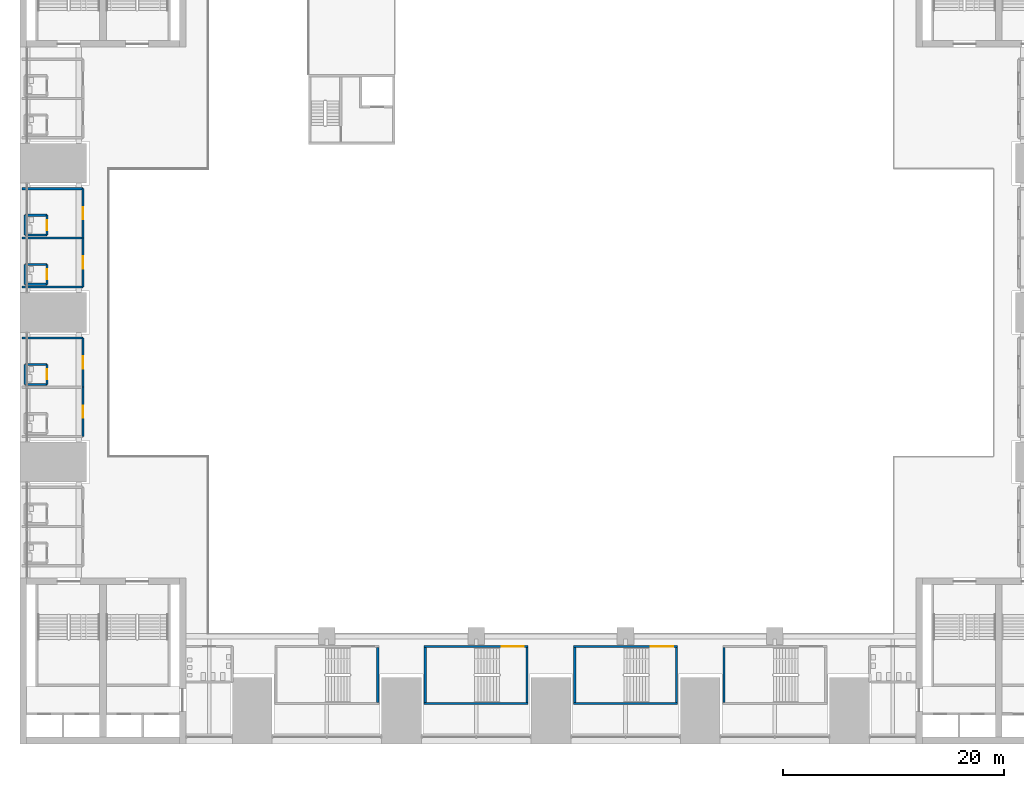
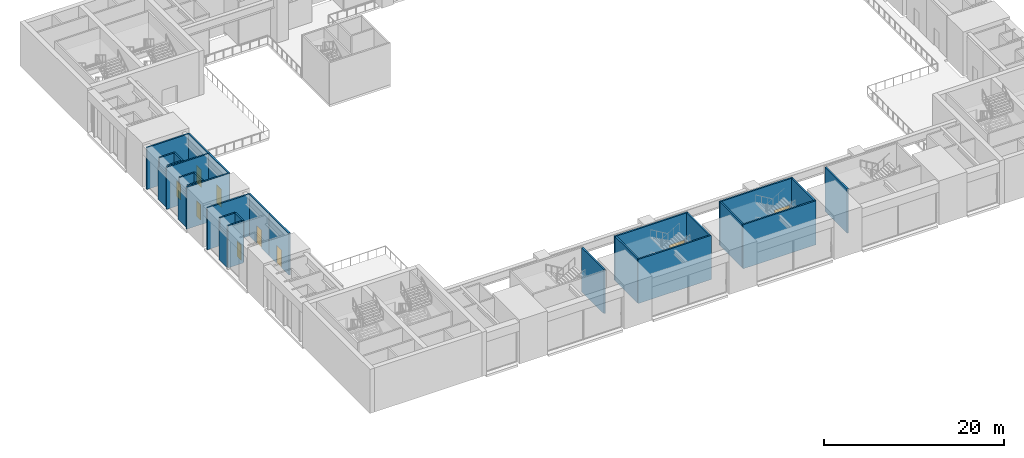
# One storey, part 14 of 43: 30 walls, 9 doors, 9 openings.
"""IFC4 building model written with IfcOpenShell, lengths in metres."""

import ifcopenshell
import ifcopenshell.guid

model = None  # the IFC model being written
_history = None  # IfcOwnerHistory: only IFC2X3 demands one
_inside = {}  # id of a spatial element -> (the spatial element, [elements in it])
_under = {}  # id of a project, library or spatial element -> (it, [spatial elements below it])
_declared = {}  # id of a project -> (the project, [libraries it declares])
_typed = {}  # id of a type object -> (the type object, [elements of that type])
_made_of = {}  # id of a material, layer set ... -> (it, [elements and type objects made of it])


def new_model(schema):
    """Start an empty IFC model of exactly this schema.

    Asked for "IFC4X3", IfcOpenShell would pick the latest addendum, in which some entities
    have other attributes; the version numbers below select the first issue.
    IFC2X3 requires an IfcOwnerHistory on every rooted entity: one is made here for all.
    """
    global model, _history
    if schema == "IFC4X3":
        model = ifcopenshell.file(schema_version=(4, 3, 0, 0))
    else:
        model = ifcopenshell.file(schema=schema)
    _inside.clear()
    _under.clear()
    _declared.clear()
    _typed.clear()
    _made_of.clear()
    _history = None
    if model.schema == "IFC2X3":
        org = make("IfcOrganization", Name="unknown")
        user = make(
            "IfcPersonAndOrganization",
            ThePerson=make("IfcPerson", FamilyName="unknown"),
            TheOrganization=org,
        )
        app = make(
            "IfcApplication",
            ApplicationDeveloper=org,
            Version="unknown",
            ApplicationFullName="unknown",
            ApplicationIdentifier="unknown",
        )
        _history = make(
            "IfcOwnerHistory",
            OwningUser=user,
            OwningApplication=app,
            ChangeAction="ADDED",
            CreationDate=0,
        )
    return model


def make(cls, **values):
    """One entity of the class cls with the attributes given. An attribute that is None is left unset."""
    return model.create_entity(
        cls, **{name: value for name, value in values.items() if value is not None}
    )


def rooted(cls, **values):
    """An entity with a GlobalId (a new one), such as an element, a storey or a relation."""
    return make(cls, GlobalId=ifcopenshell.guid.new(), OwnerHistory=_history, **values)


def si_unit(unit_type, name, prefix=None):
    """IfcSIUnit, for example si_unit("LENGTHUNIT", "METRE", prefix="MILLI")."""
    return make("IfcSIUnit", UnitType=unit_type, Prefix=prefix, Name=name)


def assignment(units):
    """IfcUnitAssignment: the units of a project."""
    return None if units is None else make("IfcUnitAssignment", Units=units)


def point(xyz):
    """IfcCartesianPoint."""
    return None if xyz is None else make("IfcCartesianPoint", Coordinates=xyz)


def direction(xyz):
    """IfcDirection."""
    return None if xyz is None else make("IfcDirection", DirectionRatios=xyz)


def frame(location, z_axis=None, x_axis=None):
    """IfcAxis2Placement3D, a coordinate frame: its origin and axes. An axis left out is left unset."""
    return make(
        "IfcAxis2Placement3D",
        Location=point(location),
        Axis=direction(z_axis),
        RefDirection=direction(x_axis),
    )


def frame_2d(location, x_axis=None):
    """IfcAxis2Placement2D, a coordinate frame in the plane: its origin and x axis."""
    return make(
        "IfcAxis2Placement2D", Location=point(location), RefDirection=direction(x_axis)
    )


def origin():
    """The frame at (0, 0, 0) with its axes left unset."""
    return frame((0.0, 0.0, 0.0))


def place(relative_to, where):
    """IfcLocalPlacement: puts the frame where relative to a parent placement (None: the world)."""
    return make(
        "IfcLocalPlacement", PlacementRelTo=relative_to, RelativePlacement=where
    )


def context(
    kind, dimensions, precision=None, world=None, true_north=None, identifier=None
):
    """IfcGeometricRepresentationContext, for example the 3D "Model" context."""
    return make(
        "IfcGeometricRepresentationContext",
        ContextIdentifier=identifier,
        ContextType=kind,
        CoordinateSpaceDimension=dimensions,
        Precision=precision,
        WorldCoordinateSystem=world,
        TrueNorth=true_north,
    )


def subcontext(parent, identifier, kind, view, scale=None):
    """IfcGeometricRepresentationSubContext, for example "Body" below "Model"."""
    return make(
        "IfcGeometricRepresentationSubContext",
        ContextIdentifier=identifier,
        ContextType=kind,
        ParentContext=parent,
        TargetScale=scale,
        TargetView=view,
    )


def project(units=None, contexts=None):
    """IfcProject with its units and contexts."""
    return rooted(
        "IfcProject",
        Name="project",
        RepresentationContexts=contexts,
        UnitsInContext=assignment(units),
    )


def spatial(cls, under=None, at=None, **own):
    """A site, building, storey or space (cls), placed at a placement, below another one or the project."""
    s = rooted(cls, ObjectPlacement=at, **own)
    if under is not None:
        _under.setdefault(under.id(), (under, []))[1].append(s)
    return s


def profile(cls, at=None, kind="AREA", **sizes):
    """A parametric profile (cls). Its sizes go by their IFC names, for example OverallWidth=200.0."""
    return make(cls, ProfileType=kind, Position=at, **sizes)


def rectangle(**sizes):
    """IfcRectangleProfileDef."""
    return profile("IfcRectangleProfileDef", **sizes)


def extrude(swept, where, along, depth):
    """IfcExtrudedAreaSolid: the profile swept, set in the frame where, extruded along a direction by depth."""
    return make(
        "IfcExtrudedAreaSolid",
        SweptArea=swept,
        Position=where,
        ExtrudedDirection=direction(along),
        Depth=depth,
    )


def shape(context_of_items, identifier, shape_type, items):
    """IfcShapeRepresentation: the items that make up one representation, for example the "Body"."""
    return make(
        "IfcShapeRepresentation",
        ContextOfItems=context_of_items,
        RepresentationIdentifier=identifier,
        RepresentationType=shape_type,
        Items=items,
    )


def material(Name=None, Category=None):
    """IfcMaterial."""
    return make("IfcMaterial", Name=Name, Category=Category)


def layer(
    of_material, thickness, ventilated=None, Name=None, Category=None, Priority=None
):
    """IfcMaterialLayer: one layer of a wall or slab, of a material (None: an air gap)."""
    return make(
        "IfcMaterialLayer",
        Material=of_material,
        LayerThickness=thickness,
        IsVentilated=ventilated,
        Name=Name,
        Category=Category,
        Priority=Priority,
    )


def layer_set(layers, Name=None):
    """IfcMaterialLayerSet."""
    return make("IfcMaterialLayerSet", MaterialLayers=layers, LayerSetName=Name)


def made_of(thing, what):
    """Note that an element or type object is made of a material, layer set ...; save() writes the relation."""
    if what is not None:
        _made_of.setdefault(what.id(), (what, []))[1].append(thing)
    return thing


def type_object(cls, material=None, **own):
    """A type object (cls), such as IfcWallType, which elements share."""
    return made_of(rooted(cls, **own), material)


def element(
    cls,
    number,
    at=None,
    inside=None,
    cuts=None,
    type_object=None,
    material=None,
    context=None,
    identifier="Body",
    shape_type=None,
    held_by="IfcProductDefinitionShape",
    body=None,
    shapes=None,
    **own,
):
    """One element of the class cls, such as IfcWall. Its Tag is "e" and its number.

    at: its placement. inside: the storey or other place that contains it. cuts: it is an
    opening in that element (IfcRelVoidsElement). A single representation is given by context,
    identifier, shape_type and body (its items); several are given by shapes. held_by: the class
    of the entity that holds the representations. save() writes the other relations.
    """
    e = rooted(cls, Tag="e%d" % number, ObjectPlacement=at, **own)
    if body is not None:
        shapes = [shape(context, identifier, shape_type, body)]
    if shapes is not None:
        e.Representation = make(held_by, Representations=shapes)
    if inside is not None:
        _inside.setdefault(inside.id(), (inside, []))[1].append(e)
    if cuts is not None:
        rooted(
            "IfcRelVoidsElement", RelatingBuildingElement=cuts, RelatedOpeningElement=e
        )
    if type_object is not None:
        _typed.setdefault(type_object.id(), (type_object, []))[1].append(e)
    return made_of(e, material)


def fill(opening, filler):
    """IfcRelFillsElement: the door or window that sits in an opening."""
    return rooted(
        "IfcRelFillsElement",
        RelatingOpeningElement=opening,
        RelatedBuildingElement=filler,
    )


def aggregate(whole, parts):
    """IfcRelAggregates: a whole, such as a stair, and the parts it consists of."""
    return rooted("IfcRelAggregates", RelatingObject=whole, RelatedObjects=parts)


def save(model, path):
    """Write the relations noted so far, then the file.

    IfcRelAggregates (storeys below a building ...), IfcRelContainedInSpatialStructure (elements
    in a storey), IfcRelDefinesByType, IfcRelAssociatesMaterial and IfcRelDeclares: one each for
    every whole, place, type object, material and project.
    """
    for whole, parts in _under.values():
        aggregate(whole, parts)
    for where, things in _inside.values():
        rooted(
            "IfcRelContainedInSpatialStructure",
            RelatedElements=things,
            RelatingStructure=where,
        )
    for kind, things in _typed.values():
        rooted("IfcRelDefinesByType", RelatedObjects=things, RelatingType=kind)
    for what, things in _made_of.values():
        rooted("IfcRelAssociatesMaterial", RelatedObjects=things, RelatingMaterial=what)
    for by, libraries in _declared.values():
        rooted("IfcRelDeclares", RelatingContext=by, RelatedDefinitions=libraries)
    model.write(path)


model = new_model("IFC4")

# Units and contexts
model_context = context("Model", 3, precision=1e-05, world=origin(), true_north=direction((0.0, 1.0)))
body_context = subcontext(model_context, "Body", "Model", "MODEL_VIEW")
ifc_project = project(units=[si_unit("LENGTHUNIT", "METRE"), si_unit("AREAUNIT", "SQUARE_METRE"), si_unit("VOLUMEUNIT", "CUBIC_METRE"), si_unit("PLANEANGLEUNIT", "RADIAN"), si_unit("MASSUNIT", "GRAM", prefix="KILO")], contexts=[model_context])

# Site, building, storey
site_placement = place(None, origin())
site = spatial("IfcSite", under=ifc_project, at=site_placement, CompositionType="ELEMENT")
building_placement = place(site_placement, origin())
building = spatial("IfcBuilding", under=site, at=building_placement, Name="Corbelhall Arena Tower", CompositionType="ELEMENT")
storey_placement = place(building_placement, frame((0.0, 0.0, 25.0)))
storey = spatial("IfcBuildingStorey", under=building, at=storey_placement, Name="L03", CompositionType="ELEMENT", Elevation=25.0)

# Wall, opening, door
ifc_material_1 = material(Name="Gypsum board on steel studs", Category="steel")
ifc_layer_1 = layer(ifc_material_1, 0.199951171875)
ifc_layer_set_1 = layer_set([ifc_layer_1], Name="AR-ROOM-WALL")
wall_type_1 = type_object("IfcWallType", Name="AR-ROOM-WALL", PredefinedType="PARTITIONING", material=ifc_layer_set_1)
wall_1_placement = place(storey_placement, frame((-42.300048828125, 2.300048828125, 0.0), z_axis=(0.0, 0.0, 1.0), x_axis=(0.0, 1.0, 0.0)))
wall_1 = element("IfcWall", 1, at=wall_1_placement, inside=storey, type_object=wall_type_1, Name="Suite seating 0309 wall", PredefinedType="PARTITIONING", context=body_context, shape_type="SweptSolid", body=[
    extrude(rectangle(XDim=4.449951171875, YDim=0.199951171875, at=frame_2d((2.22509765625, 0.0))), origin(), (0.0, 0.0, 1.0), 5.699951171875),
])
opening_1_placement = place(wall_1_placement, frame((1.675048828125, 0.0, 0.0)))
opening_1 = element("IfcOpeningElement", 2, at=opening_1_placement, cuts=wall_1, Name="Opening DA0399", PredefinedType="OPENING", context=body_context, shape_type="SweptSolid", body=[
    extrude(rectangle(XDim=1.10009765625, YDim=2.39990234375, at=frame_2d((0.550048828125, 1.199951171875))), frame((0.0, 0.10009765625, 0.0), z_axis=(0.0, -1.0, 0.0), x_axis=(1.0, 0.0, 0.0)), (0.0, 0.0, 1.0), 0.199951171875),
])
ifc_material_2 = material(Name="Timber", Category="wood")
door_type_1 = type_object("IfcDoorType", Name="AR-ROOM-DOOR", OperationType="DOUBLE_DOOR_SINGLE_SWING", PredefinedType="DOOR", material=ifc_material_2)
door_1_placement = place(opening_1_placement, origin())
door_1 = element("IfcDoor", 3, at=door_1_placement, inside=storey, type_object=door_type_1, Name="Suite seating 0309 door", OperationType="DOUBLE_DOOR_SINGLE_SWING", OverallHeight=2.39990234375, OverallWidth=1.10009765625, PredefinedType="DOOR", context=body_context, shape_type="SweptSolid", body=[
    extrude(rectangle(XDim=1.10009765625, YDim=2.39990234375, at=frame_2d((0.550048828125, 1.199951171875))), frame((0.0, 0.02490234375, 0.0), z_axis=(0.0, -1.0, 0.0), x_axis=(1.0, 0.0, 0.0)), (0.0, 0.0, 1.0), 0.050048828125),
])
fill(opening_1, door_1)

# Walls
for number, where, z_axis, x_axis, name in (
    (4, (-42.300048828125, 2.300048828125, 0.0), (0.0, 0.0, 1.0), (-1.0, 0.0, 0.0), "Suite seating 0309 end wall"),
    (5, (-47.800048828125, 6.75, 0.0), (0.0, 0.0, 1.0), (1.0, 0.0, 0.0), "Suite seating 0309 partition"),
):
    element("IfcWall", number, at=place(storey_placement, frame(where, z_axis=z_axis, x_axis=x_axis)), inside=storey, type_object=wall_type_1, Name=name, PredefinedType="PARTITIONING", context=body_context, shape_type="SweptSolid", body=[
        extrude(rectangle(XDim=5.5, YDim=0.199951171875, at=frame_2d((2.75, 0.0))), origin(), (0.0, 0.0, 1.0), 5.699951171875),
    ])
for number, where, z_axis, x_axis, name in (
    (6, (-47.550048828125, 2.550048828125, 0.0), (0.0, 0.0, 1.0), (1.0, 0.0, 0.0), "Suite WC 0309 wall"),
    (7, (-45.550048828125, 4.35009765625, 0.0), (0.0, 0.0, 1.0), (-1.0, 0.0, 0.0), "Suite WC 0309 wall"),
):
    element("IfcWall", number, at=place(storey_placement, frame(where, z_axis=z_axis, x_axis=x_axis)), inside=storey, type_object=wall_type_1, Name=name, PredefinedType="PARTITIONING", context=body_context, shape_type="SweptSolid", body=[
        extrude(rectangle(XDim=2.0, YDim=0.199951171875, at=frame_2d((1.0, 0.0))), origin(), (0.0, 0.0, 1.0), 5.699951171875),
    ])

# Wall, opening, door
wall_2_placement = place(storey_placement, frame((-45.550048828125, 2.550048828125, 0.0), z_axis=(0.0, 0.0, 1.0), x_axis=(0.0, 1.0, 0.0)))
wall_2 = element("IfcWall", 8, at=wall_2_placement, inside=storey, type_object=wall_type_1, Name="Suite WC 0309 wall", PredefinedType="PARTITIONING", context=body_context, shape_type="SweptSolid", body=[
    extrude(rectangle(XDim=1.800048828125, YDim=0.199951171875, at=frame_2d((0.89990234375, 0.0))), origin(), (0.0, 0.0, 1.0), 5.699951171875),
])
opening_2_placement = place(wall_2_placement, frame((0.449951171875, 0.0, 0.0)))
opening_2 = element("IfcOpeningElement", 9, at=opening_2_placement, cuts=wall_2, Name="Opening DA0400", PredefinedType="OPENING", context=body_context, shape_type="SweptSolid", body=[
    extrude(rectangle(XDim=0.89990234375, YDim=2.10009765625, at=frame_2d((0.449951171875, 1.050048828125))), frame((0.0, 0.10009765625, 0.0), z_axis=(0.0, -1.0, 0.0), x_axis=(1.0, 0.0, 0.0)), (0.0, 0.0, 1.0), 0.199951171875),
])
door_type_2 = type_object("IfcDoorType", Name="AR-CELL-DOOR", OperationType="SINGLE_SWING_LEFT", PredefinedType="DOOR", material=ifc_material_2)
door_2_placement = place(opening_2_placement, origin())
door_2 = element("IfcDoor", 10, at=door_2_placement, inside=storey, type_object=door_type_2, Name="Suite WC 0309 door", OperationType="SINGLE_SWING_LEFT", OverallHeight=2.10009765625, OverallWidth=0.89990234375, PredefinedType="DOOR", context=body_context, shape_type="SweptSolid", body=[
    extrude(rectangle(XDim=0.89990234375, YDim=2.10009765625, at=frame_2d((0.449951171875, 1.050048828125))), frame((0.0, 0.02490234375, 0.0), z_axis=(0.0, -1.0, 0.0), x_axis=(1.0, 0.0, 0.0)), (0.0, 0.0, 1.0), 0.050048828125),
])
fill(opening_2, door_2)

wall_3_placement = place(storey_placement, frame((-42.300048828125, 6.75, 0.0), z_axis=(0.0, 0.0, 1.0), x_axis=(0.0, 1.0, 0.0)))
wall_3 = element("IfcWall", 11, at=wall_3_placement, inside=storey, type_object=wall_type_1, Name="Suite seating 0310 wall", PredefinedType="PARTITIONING", context=body_context, shape_type="SweptSolid", body=[
    extrude(rectangle(XDim=4.449951171875, YDim=0.199951171875, at=frame_2d((2.22509765625, 0.0))), origin(), (0.0, 0.0, 1.0), 5.699951171875),
])
opening_3_placement = place(wall_3_placement, frame((1.675048828125, 0.0, 0.0)))
opening_3 = element("IfcOpeningElement", 12, at=opening_3_placement, cuts=wall_3, Name="Opening DA0401", PredefinedType="OPENING", context=body_context, shape_type="SweptSolid", body=[
    extrude(rectangle(XDim=1.10009765625, YDim=2.39990234375, at=frame_2d((0.550048828125, 1.199951171875))), frame((0.0, 0.10009765625, 0.0), z_axis=(0.0, -1.0, 0.0), x_axis=(1.0, 0.0, 0.0)), (0.0, 0.0, 1.0), 0.199951171875),
])
door_3_placement = place(opening_3_placement, origin())
door_3 = element("IfcDoor", 13, at=door_3_placement, inside=storey, type_object=door_type_1, Name="Suite seating 0310 door", OperationType="DOUBLE_DOOR_SINGLE_SWING", OverallHeight=2.39990234375, OverallWidth=1.10009765625, PredefinedType="DOOR", context=body_context, shape_type="SweptSolid", body=[
    extrude(rectangle(XDim=1.10009765625, YDim=2.39990234375, at=frame_2d((0.550048828125, 1.199951171875))), frame((0.0, 0.02490234375, 0.0), z_axis=(0.0, -1.0, 0.0), x_axis=(1.0, 0.0, 0.0)), (0.0, 0.0, 1.0), 0.050048828125),
])
fill(opening_3, door_3)

# Walls
wall_4_placement = place(storey_placement, frame((-42.300048828125, 11.199951171875, 0.0), z_axis=(0.0, 0.0, 1.0), x_axis=(-1.0, 0.0, 0.0)))
element("IfcWall", 14, at=wall_4_placement, inside=storey, type_object=wall_type_1, Name="Suite seating 0310 end wall", PredefinedType="PARTITIONING", context=body_context, shape_type="SweptSolid", body=[
    extrude(rectangle(XDim=5.5, YDim=0.199951171875, at=frame_2d((2.75, 0.0))), origin(), (0.0, 0.0, 1.0), 5.699951171875),
])
for number, where, z_axis, x_axis, name in (
    (15, (-47.550048828125, 7.0, 0.0), (0.0, 0.0, 1.0), (1.0, 0.0, 0.0), "Suite WC 0310 wall"),
    (16, (-45.550048828125, 8.800048828125, 0.0), (0.0, 0.0, 1.0), (-1.0, 0.0, 0.0), "Suite WC 0310 wall"),
):
    element("IfcWall", number, at=place(storey_placement, frame(where, z_axis=z_axis, x_axis=x_axis)), inside=storey, type_object=wall_type_1, Name=name, PredefinedType="PARTITIONING", context=body_context, shape_type="SweptSolid", body=[
        extrude(rectangle(XDim=2.0, YDim=0.199951171875, at=frame_2d((1.0, 0.0))), origin(), (0.0, 0.0, 1.0), 5.699951171875),
    ])

# Wall, opening, door
wall_5_placement = place(storey_placement, frame((-45.550048828125, 7.0, 0.0), z_axis=(0.0, 0.0, 1.0), x_axis=(0.0, 1.0, 0.0)))
wall_5 = element("IfcWall", 17, at=wall_5_placement, inside=storey, type_object=wall_type_1, Name="Suite WC 0310 wall", PredefinedType="PARTITIONING", context=body_context, shape_type="SweptSolid", body=[
    extrude(rectangle(XDim=1.800048828125, YDim=0.199951171875, at=frame_2d((0.89990234375, 0.0))), origin(), (0.0, 0.0, 1.0), 5.699951171875),
])
opening_4_placement = place(wall_5_placement, frame((0.449951171875, 0.0, 0.0)))
opening_4 = element("IfcOpeningElement", 18, at=opening_4_placement, cuts=wall_5, Name="Opening DA0402", PredefinedType="OPENING", context=body_context, shape_type="SweptSolid", body=[
    extrude(rectangle(XDim=0.89990234375, YDim=2.10009765625, at=frame_2d((0.449951171875, 1.050048828125))), frame((0.0, 0.10009765625, 0.0), z_axis=(0.0, -1.0, 0.0), x_axis=(1.0, 0.0, 0.0)), (0.0, 0.0, 1.0), 0.199951171875),
])
door_4_placement = place(opening_4_placement, origin())
door_4 = element("IfcDoor", 19, at=door_4_placement, inside=storey, type_object=door_type_2, Name="Suite WC 0310 door", OperationType="SINGLE_SWING_LEFT", OverallHeight=2.10009765625, OverallWidth=0.89990234375, PredefinedType="DOOR", context=body_context, shape_type="SweptSolid", body=[
    extrude(rectangle(XDim=0.89990234375, YDim=2.10009765625, at=frame_2d((0.449951171875, 1.050048828125))), frame((0.0, 0.02490234375, 0.0), z_axis=(0.0, -1.0, 0.0), x_axis=(1.0, 0.0, 0.0)), (0.0, 0.0, 1.0), 0.050048828125),
])
fill(opening_4, door_4)

wall_6_placement = place(storey_placement, frame((-42.300048828125, -11.199951171875, 0.0), z_axis=(0.0, 0.0, 1.0), x_axis=(0.0, 1.0, 0.0)))
wall_6 = element("IfcWall", 20, at=wall_6_placement, inside=storey, type_object=wall_type_1, Name="Suite seating 0311 wall", PredefinedType="PARTITIONING", context=body_context, shape_type="SweptSolid", body=[
    extrude(rectangle(XDim=4.449951171875, YDim=0.199951171875, at=frame_2d((2.22509765625, 0.0))), origin(), (0.0, 0.0, 1.0), 5.699951171875),
])
opening_5_placement = place(wall_6_placement, frame((1.675048828125, 0.0, 0.0)))
opening_5 = element("IfcOpeningElement", 21, at=opening_5_placement, cuts=wall_6, Name="Opening DA0403", PredefinedType="OPENING", context=body_context, shape_type="SweptSolid", body=[
    extrude(rectangle(XDim=1.10009765625, YDim=2.39990234375, at=frame_2d((0.550048828125, 1.199951171875))), frame((0.0, 0.10009765625, 0.0), z_axis=(0.0, -1.0, 0.0), x_axis=(1.0, 0.0, 0.0)), (0.0, 0.0, 1.0), 0.199951171875),
])
door_5_placement = place(opening_5_placement, origin())
door_5 = element("IfcDoor", 22, at=door_5_placement, inside=storey, type_object=door_type_1, Name="Suite seating 0311 door", OperationType="DOUBLE_DOOR_SINGLE_SWING", OverallHeight=2.39990234375, OverallWidth=1.10009765625, PredefinedType="DOOR", context=body_context, shape_type="SweptSolid", body=[
    extrude(rectangle(XDim=1.10009765625, YDim=2.39990234375, at=frame_2d((0.550048828125, 1.199951171875))), frame((0.0, 0.02490234375, 0.0), z_axis=(0.0, -1.0, 0.0), x_axis=(1.0, 0.0, 0.0)), (0.0, 0.0, 1.0), 0.050048828125),
])
fill(opening_5, door_5)

wall_7_placement = place(storey_placement, frame((-42.300048828125, -6.75, 0.0), z_axis=(0.0, 0.0, 1.0), x_axis=(0.0, 1.0, 0.0)))
wall_7 = element("IfcWall", 23, at=wall_7_placement, inside=storey, type_object=wall_type_1, Name="Suite seating 0312 wall", PredefinedType="PARTITIONING", context=body_context, shape_type="SweptSolid", body=[
    extrude(rectangle(XDim=4.449951171875, YDim=0.199951171875, at=frame_2d((2.22509765625, 0.0))), origin(), (0.0, 0.0, 1.0), 5.699951171875),
])
opening_6_placement = place(wall_7_placement, frame((1.675048828125, 0.0, 0.0)))
opening_6 = element("IfcOpeningElement", 24, at=opening_6_placement, cuts=wall_7, Name="Opening DA0405", PredefinedType="OPENING", context=body_context, shape_type="SweptSolid", body=[
    extrude(rectangle(XDim=1.10009765625, YDim=2.39990234375, at=frame_2d((0.550048828125, 1.199951171875))), frame((0.0, 0.10009765625, 0.0), z_axis=(0.0, -1.0, 0.0), x_axis=(1.0, 0.0, 0.0)), (0.0, 0.0, 1.0), 0.199951171875),
])
door_6_placement = place(opening_6_placement, origin())
door_6 = element("IfcDoor", 25, at=door_6_placement, inside=storey, type_object=door_type_1, Name="Suite seating 0312 door", OperationType="DOUBLE_DOOR_SINGLE_SWING", OverallHeight=2.39990234375, OverallWidth=1.10009765625, PredefinedType="DOOR", context=body_context, shape_type="SweptSolid", body=[
    extrude(rectangle(XDim=1.10009765625, YDim=2.39990234375, at=frame_2d((0.550048828125, 1.199951171875))), frame((0.0, 0.02490234375, 0.0), z_axis=(0.0, -1.0, 0.0), x_axis=(1.0, 0.0, 0.0)), (0.0, 0.0, 1.0), 0.050048828125),
])
fill(opening_6, door_6)

# Walls
wall_8_placement = place(storey_placement, frame((-42.300048828125, -2.300048828125, 0.0), z_axis=(0.0, 0.0, 1.0), x_axis=(-1.0, 0.0, 0.0)))
element("IfcWall", 26, at=wall_8_placement, inside=storey, type_object=wall_type_1, Name="Suite seating 0312 end wall", PredefinedType="PARTITIONING", context=body_context, shape_type="SweptSolid", body=[
    extrude(rectangle(XDim=5.5, YDim=0.199951171875, at=frame_2d((2.75, 0.0))), origin(), (0.0, 0.0, 1.0), 5.699951171875),
])
for number, where, z_axis, x_axis, name in (
    (27, (-47.550048828125, -6.5, 0.0), (0.0, 0.0, 1.0), (1.0, 0.0, 0.0), "Suite WC 0312 wall"),
    (28, (-45.550048828125, -4.699951171875, 0.0), (0.0, 0.0, 1.0), (-1.0, 0.0, 0.0), "Suite WC 0312 wall"),
):
    element("IfcWall", number, at=place(storey_placement, frame(where, z_axis=z_axis, x_axis=x_axis)), inside=storey, type_object=wall_type_1, Name=name, PredefinedType="PARTITIONING", context=body_context, shape_type="SweptSolid", body=[
        extrude(rectangle(XDim=2.0, YDim=0.199951171875, at=frame_2d((1.0, 0.0))), origin(), (0.0, 0.0, 1.0), 5.699951171875),
    ])

# Wall, opening, door
wall_9_placement = place(storey_placement, frame((-45.550048828125, -6.5, 0.0), z_axis=(0.0, 0.0, 1.0), x_axis=(0.0, 1.0, 0.0)))
wall_9 = element("IfcWall", 29, at=wall_9_placement, inside=storey, type_object=wall_type_1, Name="Suite WC 0312 wall", PredefinedType="PARTITIONING", context=body_context, shape_type="SweptSolid", body=[
    extrude(rectangle(XDim=1.800048828125, YDim=0.199951171875, at=frame_2d((0.89990234375, 0.0))), origin(), (0.0, 0.0, 1.0), 5.699951171875),
])
opening_7_placement = place(wall_9_placement, frame((0.449951171875, 0.0, 0.0)))
opening_7 = element("IfcOpeningElement", 30, at=opening_7_placement, cuts=wall_9, Name="Opening DA0406", PredefinedType="OPENING", context=body_context, shape_type="SweptSolid", body=[
    extrude(rectangle(XDim=0.89990234375, YDim=2.10009765625, at=frame_2d((0.449951171875, 1.050048828125))), frame((0.0, 0.10009765625, 0.0), z_axis=(0.0, -1.0, 0.0), x_axis=(1.0, 0.0, 0.0)), (0.0, 0.0, 1.0), 0.199951171875),
])
door_7_placement = place(opening_7_placement, origin())
door_7 = element("IfcDoor", 31, at=door_7_placement, inside=storey, type_object=door_type_2, Name="Suite WC 0312 door", OperationType="SINGLE_SWING_LEFT", OverallHeight=2.10009765625, OverallWidth=0.89990234375, PredefinedType="DOOR", context=body_context, shape_type="SweptSolid", body=[
    extrude(rectangle(XDim=0.89990234375, YDim=2.10009765625, at=frame_2d((0.449951171875, 1.050048828125))), frame((0.0, 0.02490234375, 0.0), z_axis=(0.0, -1.0, 0.0), x_axis=(1.0, 0.0, 0.0)), (0.0, 0.0, 1.0), 0.050048828125),
])
fill(opening_7, door_7)

# Walls
ifc_layer_2 = layer(ifc_material_1, 0.199951171875)
ifc_layer_set_2 = layer_set([ifc_layer_2], Name="AR-ROOM-WALL under beam 1200 mm")
wall_type_2 = type_object("IfcWallType", Name="AR-ROOM-WALL under beam 1200 mm", PredefinedType="PARTITIONING", material=ifc_layer_set_2)
for number, where, z_axis, x_axis, name in (
    (32, (-47.550048828125, 2.550048828125, 0.0), (0.0, 0.0, 1.0), (0.0, 1.0, 0.0), "Suite WC 0309 wall"),
    (33, (-47.550048828125, 7.0, 0.0), (0.0, 0.0, 1.0), (0.0, 1.0, 0.0), "Suite WC 0310 wall"),
    (34, (-47.550048828125, -6.5, 0.0), (0.0, 0.0, 1.0), (0.0, 1.0, 0.0), "Suite WC 0312 wall"),
):
    element("IfcWall", number, at=place(storey_placement, frame(where, z_axis=z_axis, x_axis=x_axis)), inside=storey, type_object=wall_type_2, Name=name, PredefinedType="PARTITIONING", context=body_context, shape_type="SweptSolid", body=[
        extrude(rectangle(XDim=1.800048828125, YDim=0.199951171875, at=frame_2d((0.89990234375, 0.0))), origin(), (0.0, 0.0, 1.0), 4.5),
    ])
ifc_material_3 = material(Name="Reinforced concrete C40/50", Category="concrete")
ifc_layer_3 = layer(ifc_material_3, 0.199951171875)
ifc_layer_set_3 = layer_set([ifc_layer_3], Name="AR-STAIR-WALL")
wall_type_3 = type_object("IfcWallType", Name="AR-STAIR-WALL", PredefinedType="SOLIDWALL", material=ifc_layer_set_3)
wall_10_placement = place(storey_placement, frame((-15.64990234375, -35.25, 0.0), z_axis=(0.0, 0.0, 1.0), x_axis=(0.0, 1.0, 0.0)))
element("IfcWall", 35, at=wall_10_placement, inside=storey, type_object=wall_type_3, Name="Stair AS13 wall", PredefinedType="SOLIDWALL", context=body_context, shape_type="SweptSolid", body=[
    extrude(rectangle(XDim=4.949951171875, YDim=0.199951171875, at=frame_2d((2.47509765625, 0.0))), origin(), (0.0, 0.0, 1.0), 6.0),
])

# Wall, opening, door
wall_11_placement = place(storey_placement, frame((-2.050048828125, -30.199951171875, 0.0), z_axis=(0.0, 0.0, 1.0), x_axis=(-1.0, 0.0, 0.0)))
wall_11 = element("IfcWall", 36, at=wall_11_placement, inside=storey, type_object=wall_type_3, Name="Stair AS14 wall", PredefinedType="SOLIDWALL", context=body_context, shape_type="SweptSolid", body=[
    extrude(rectangle(XDim=9.39990234375, YDim=0.199951171875, at=frame_2d((4.699951171875, 0.0))), origin(), (0.0, 0.0, 1.0), 6.0),
])
opening_8_placement = place(wall_11_placement, frame((0.39990234375, 0.0, 0.0)))
opening_8 = element("IfcOpeningElement", 37, at=opening_8_placement, cuts=wall_11, Name="Opening DA0034", PredefinedType="OPENING", context=body_context, shape_type="SweptSolid", body=[
    extrude(rectangle(XDim=2.0, YDim=2.39990234375, at=frame_2d((1.0, 1.199951171875))), frame((0.0, 0.10009765625, 0.0), z_axis=(0.0, -1.0, 0.0), x_axis=(1.0, 0.0, 0.0)), (0.0, 0.0, 1.0), 0.199951171875),
])
ifc_material_4 = material(Name="Steel and glass", Category="steel")
door_type_3 = type_object("IfcDoorType", Name="AR-STAIR-DOOR", OperationType="DOUBLE_DOOR_SINGLE_SWING", PredefinedType="DOOR", material=ifc_material_4)
door_8_placement = place(opening_8_placement, origin())
door_8 = element("IfcDoor", 38, at=door_8_placement, inside=storey, type_object=door_type_3, Name="Stair AS14 door", OperationType="DOUBLE_DOOR_SINGLE_SWING", OverallHeight=2.39990234375, OverallWidth=2.0, PredefinedType="DOOR", context=body_context, shape_type="SweptSolid", body=[
    extrude(rectangle(XDim=2.0, YDim=2.39990234375, at=frame_2d((1.0, 1.199951171875))), frame((0.0, 0.02490234375, 0.0), z_axis=(0.0, -1.0, 0.0), x_axis=(1.0, 0.0, 0.0)), (0.0, 0.0, 1.0), 0.050048828125),
])
fill(opening_8, door_8)

# Walls
wall_12_placement = place(storey_placement, frame((-11.449951171875, -35.35009765625, 0.0), z_axis=(0.0, 0.0, 1.0), x_axis=(1.0, 0.0, 0.0)))
element("IfcWall", 39, at=wall_12_placement, inside=storey, type_object=wall_type_3, Name="Stair AS14 wall", PredefinedType="SOLIDWALL", context=body_context, shape_type="SweptSolid", body=[
    extrude(rectangle(XDim=9.39990234375, YDim=0.199951171875, at=frame_2d((4.699951171875, 0.0))), origin(), (0.0, 0.0, 1.0), 6.0),
])
for number, where, z_axis, x_axis, name in (
    (40, (-11.35009765625, -35.25, 0.0), (0.0, 0.0, 1.0), (0.0, 1.0, 0.0), "Stair AS14 wall"),
    (41, (-2.14990234375, -35.25, 0.0), (0.0, 0.0, 1.0), (0.0, 1.0, 0.0), "Stair AS14 wall"),
):
    element("IfcWall", number, at=place(storey_placement, frame(where, z_axis=z_axis, x_axis=x_axis)), inside=storey, type_object=wall_type_3, Name=name, PredefinedType="SOLIDWALL", context=body_context, shape_type="SweptSolid", body=[
        extrude(rectangle(XDim=4.949951171875, YDim=0.199951171875, at=frame_2d((2.47509765625, 0.0))), origin(), (0.0, 0.0, 1.0), 6.0),
    ])

# Wall, opening, door
wall_13_placement = place(storey_placement, frame((11.449951171875, -30.199951171875, 0.0), z_axis=(0.0, 0.0, 1.0), x_axis=(-1.0, 0.0, 0.0)))
wall_13 = element("IfcWall", 42, at=wall_13_placement, inside=storey, type_object=wall_type_3, Name="Stair AS15 wall", PredefinedType="SOLIDWALL", context=body_context, shape_type="SweptSolid", body=[
    extrude(rectangle(XDim=9.39990234375, YDim=0.199951171875, at=frame_2d((4.699951171875, 0.0))), origin(), (0.0, 0.0, 1.0), 6.0),
])
opening_9_placement = place(wall_13_placement, frame((0.39990234375, 0.0, 0.0)))
opening_9 = element("IfcOpeningElement", 43, at=opening_9_placement, cuts=wall_13, Name="Opening DA0040", PredefinedType="OPENING", context=body_context, shape_type="SweptSolid", body=[
    extrude(rectangle(XDim=2.0, YDim=2.39990234375, at=frame_2d((1.0, 1.199951171875))), frame((0.0, 0.10009765625, 0.0), z_axis=(0.0, -1.0, 0.0), x_axis=(1.0, 0.0, 0.0)), (0.0, 0.0, 1.0), 0.199951171875),
])
door_9_placement = place(opening_9_placement, origin())
door_9 = element("IfcDoor", 44, at=door_9_placement, inside=storey, type_object=door_type_3, Name="Stair AS15 door", OperationType="DOUBLE_DOOR_SINGLE_SWING", OverallHeight=2.39990234375, OverallWidth=2.0, PredefinedType="DOOR", context=body_context, shape_type="SweptSolid", body=[
    extrude(rectangle(XDim=2.0, YDim=2.39990234375, at=frame_2d((1.0, 1.199951171875))), frame((0.0, 0.02490234375, 0.0), z_axis=(0.0, -1.0, 0.0), x_axis=(1.0, 0.0, 0.0)), (0.0, 0.0, 1.0), 0.050048828125),
])
fill(opening_9, door_9)

# Walls
wall_14_placement = place(storey_placement, frame((2.050048828125, -35.35009765625, 0.0), z_axis=(0.0, 0.0, 1.0), x_axis=(1.0, 0.0, 0.0)))
element("IfcWall", 45, at=wall_14_placement, inside=storey, type_object=wall_type_3, Name="Stair AS15 wall", PredefinedType="SOLIDWALL", context=body_context, shape_type="SweptSolid", body=[
    extrude(rectangle(XDim=9.39990234375, YDim=0.199951171875, at=frame_2d((4.699951171875, 0.0))), origin(), (0.0, 0.0, 1.0), 6.0),
])
for number, where, z_axis, x_axis, name in (
    (46, (2.14990234375, -35.25, 0.0), (0.0, 0.0, 1.0), (0.0, 1.0, 0.0), "Stair AS15 wall"),
    (47, (11.35009765625, -35.25, 0.0), (0.0, 0.0, 1.0), (0.0, 1.0, 0.0), "Stair AS15 wall"),
    (48, (15.64990234375, -35.25, 0.0), (0.0, 0.0, 1.0), (0.0, 1.0, 0.0), "Stair AS16 wall"),
):
    element("IfcWall", number, at=place(storey_placement, frame(where, z_axis=z_axis, x_axis=x_axis)), inside=storey, type_object=wall_type_3, Name=name, PredefinedType="SOLIDWALL", context=body_context, shape_type="SweptSolid", body=[
        extrude(rectangle(XDim=4.949951171875, YDim=0.199951171875, at=frame_2d((2.47509765625, 0.0))), origin(), (0.0, 0.0, 1.0), 6.0),
    ])

save(model, "model.ifc")
